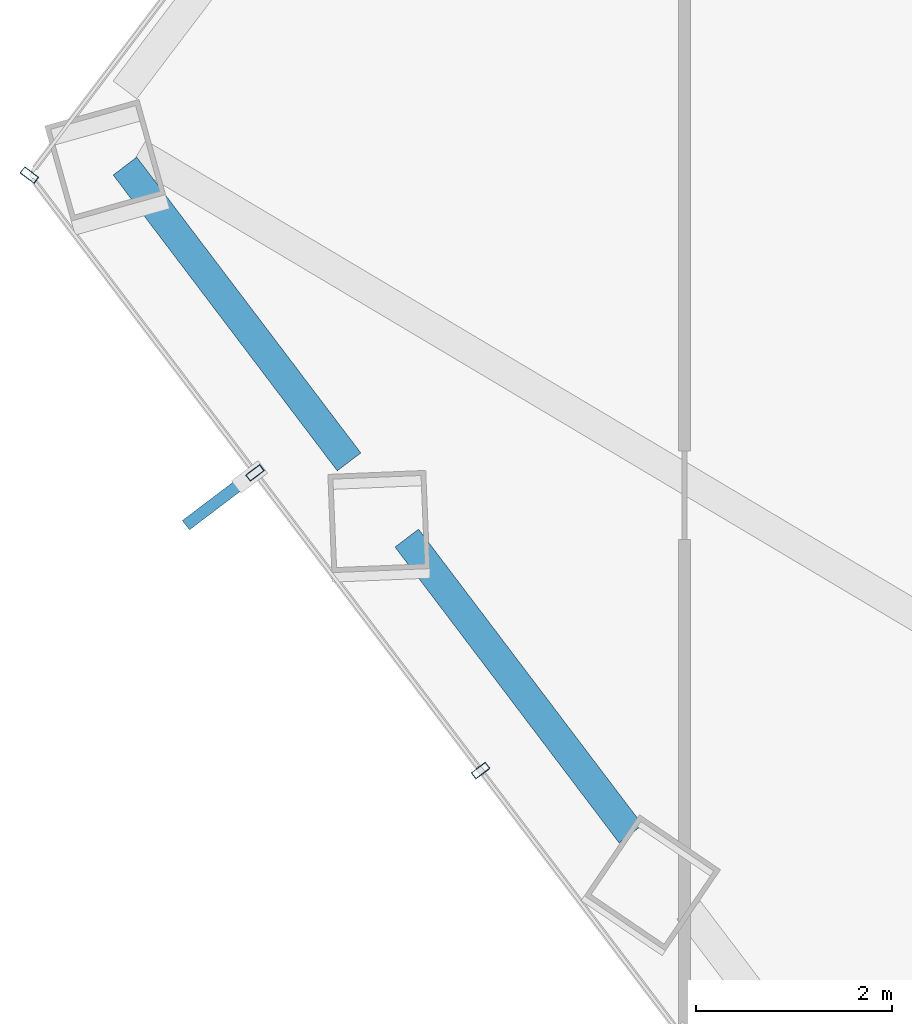
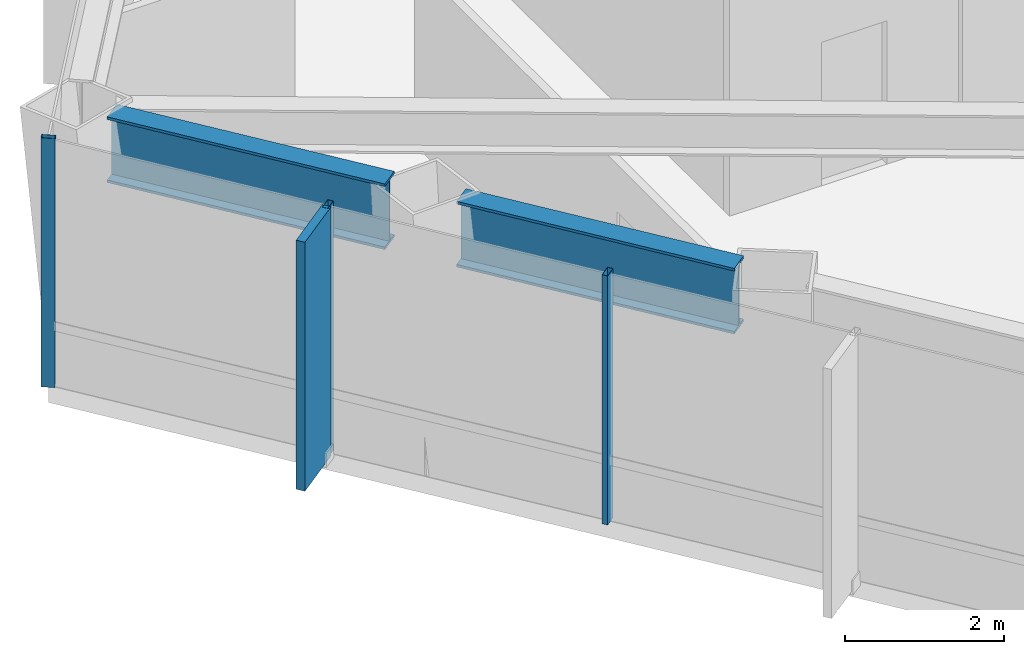
# One storey, part 4 of 27: 4 members, 2 beams, 2 elements without a shape of their own.
"""IFC4 building model written with IfcOpenShell, lengths in metres."""

from ifc_helpers import new_model, si_unit, direction, frame, origin, origin_2d, place, context, subcontext, project, spatial, rectangle, hollow_rectangle, i_section, extrude, material, layer, layer_set, material_profile, profile_set, type_object, element, aggregate, save


model = new_model("IFC4")

# Units and contexts
model_context = context("Model", 3, precision=1e-05, world=origin(), true_north=direction((0.0, 1.0)))
body_context = subcontext(model_context, "Body", "Model", "MODEL_VIEW")
ifc_project = project(units=[si_unit("LENGTHUNIT", "METRE"), si_unit("AREAUNIT", "SQUARE_METRE"), si_unit("VOLUMEUNIT", "CUBIC_METRE"), si_unit("PLANEANGLEUNIT", "RADIAN"), si_unit("MASSUNIT", "GRAM", prefix="KILO")], contexts=[model_context])

# Site, building, storey
site_placement = place(None, origin())
site = spatial("IfcSite", under=ifc_project, at=site_placement, CompositionType="ELEMENT")
building_placement = place(site_placement, origin())
building = spatial("IfcBuilding", under=site, at=building_placement, Name="Zarrinselat Tower", CompositionType="ELEMENT")
storey_placement = place(building_placement, frame((0.0, 0.0, 47.93994140625)))
storey = spatial("IfcBuildingStorey", under=building, at=storey_placement, Name="L11", CompositionType="ELEMENT", Elevation=47.93994140625)

# Beams
ifc_material_1 = material(Name="Steel S460M", Category="steel")
ifc_material_profile_1 = material_profile(ifc_material_1, i_section(OverallWidth=0.302001953125, OverallDepth=1.008056640625, WebThickness=0.02099609375, FlangeThickness=0.0400390625, at=origin_2d()), Name="HEM 1000")
ifc_profile_set_1 = profile_set([ifc_material_profile_1], Name="Steel S460M")
beam_type = type_object("IfcBeamType", Name="BM-HEM1000", PredefinedType="BEAM", material=ifc_profile_set_1)
for number, where, z_axis, x_axis, name in (
    (1, (16.787109375, 34.313232421875, 3.316162109375), (0.603870096073, -0.797082747943, 0.0), (0.797082747943, 0.603870096073, 0.0), "L11 Perimeter Spandrel Girder SP06"),
    (2, (19.6640625, 30.515625, 3.316162109375), (0.603839076561, -0.797106247384, 0.0), (0.797106247384, 0.603839076561, 0.0), "L11 Perimeter Spandrel Girder SP07"),
):
    element("IfcBeam", number, at=place(storey_placement, frame(where, z_axis=z_axis, x_axis=x_axis)), inside=storey, type_object=beam_type, Name=name, PredefinedType="BEAM", context=body_context, shape_type="SweptSolid", body=[
        extrude(i_section(OverallWidth=0.302001953125, OverallDepth=1.008056640625, WebThickness=0.02099609375, FlangeThickness=0.0400390625, at=origin_2d()), origin(), (0.0, 0.0, 1.0), 3.788330078125),
    ])

# Curtain wall, member
ifc_material_2 = material(Name="Extruded Aluminium Alloy EN AW-6063 T6", Category="aluminium")
ifc_layer = layer(ifc_material_2, 0.18505859375)
ifc_layer_set = layer_set([ifc_layer], Name="Extruded Aluminium Alloy EN AW-6063 T6")
curtain_wall_type = type_object("IfcCurtainWallType", Name="CWS-OFF", PredefinedType="NOTDEFINED", material=ifc_layer_set)
curtain_wall_1_placement = place(storey_placement, origin())
curtain_wall_1 = element("IfcCurtainWall", 3, at=curtain_wall_1_placement, inside=storey, type_object=curtain_wall_type, Name="L11 Unitised Curtain Wall CW-L11-E02", PredefinedType="NOTDEFINED")
ifc_material_3 = material(Name="Extruded Aluminium Alloy EN AW-6063 T6", Category="aluminium")
ifc_material_profile_2 = material_profile(ifc_material_3, hollow_rectangle(XDim=0.080078125, YDim=0.179931640625, WallThickness=0.0048828125, at=origin_2d()), Name="RHS 180x80x5")
ifc_profile_set_2 = profile_set([ifc_material_profile_2], Name="Extruded Aluminium Alloy EN AW-6063 T6")
member_type_1 = type_object("IfcMemberType", Name="MEM-CW-MUL", PredefinedType="MULLION", material=ifc_profile_set_2)
member_1_placement = place(storey_placement, frame((15.811767578125, 34.220947265625, 0.0), z_axis=(0.0, 0.0, 1.0), x_axis=(-0.603856912101, -0.797092735952, 0.0)))
member_1 = element("IfcMember", 4, at=member_1_placement, type_object=member_type_1, Name="CW-L11-E02 Mullion 7", PredefinedType="MULLION", context=body_context, shape_type="SweptSolid", body=[
    extrude(hollow_rectangle(XDim=0.080078125, YDim=0.179931640625, WallThickness=0.0048828125, at=origin_2d()), origin(), (0.0, 0.0, 1.0), 3.820068359375),
])
aggregate(curtain_wall_1, [member_1])

# Curtain wall, members
curtain_wall_2_placement = place(storey_placement, origin())
curtain_wall_2 = element("IfcCurtainWall", 5, at=curtain_wall_2_placement, inside=storey, type_object=curtain_wall_type, Name="L11 Unitised Curtain Wall CW-L11-E03", PredefinedType="NOTDEFINED")
member_2_placement = place(storey_placement, frame((18.114501953125, 31.181396484375, 0.0), z_axis=(0.0, 0.0, 1.0), x_axis=(0.603857284091, -0.797092454142, 0.0)))
member_2 = element("IfcMember", 6, at=member_2_placement, type_object=member_type_1, Name="CW-L11-E03 Mullion 1", PredefinedType="MULLION", context=body_context, shape_type="SweptSolid", body=[
    extrude(hollow_rectangle(XDim=0.080078125, YDim=0.179931640625, WallThickness=0.0048828125, at=origin_2d()), origin(), (0.0, 0.0, 1.0), 3.820068359375),
])
member_3_placement = place(storey_placement, frame((20.417236328125, 28.141845703125, 0.0), z_axis=(0.0, 0.0, 1.0), x_axis=(0.603857284091, -0.797092454142, 0.0)))
member_3 = element("IfcMember", 7, at=member_3_placement, type_object=member_type_1, Name="CW-L11-E03 Mullion 2", PredefinedType="MULLION", context=body_context, shape_type="SweptSolid", body=[
    extrude(hollow_rectangle(XDim=0.080078125, YDim=0.179931640625, WallThickness=0.0048828125, at=origin_2d()), origin(), (0.0, 0.0, 1.0), 3.820068359375),
])
ifc_material_4 = material(Name="Honed Cream Travertine Stone", Category="masonry")
ifc_material_profile_3 = material_profile(ifc_material_4, rectangle(XDim=0.1201171875, YDim=0.85009765625, at=origin_2d()), Name="FIN 850x120")
ifc_profile_set_3 = profile_set([ifc_material_profile_3], Name="Honed Cream Travertine Stone")
member_type_2 = type_object("IfcMemberType", Name="MEM-STONE-FIN", PredefinedType="USERDEFINED", material=ifc_profile_set_3)
member_4_placement = place(storey_placement, frame((17.747802734375, 30.903564453125, 0.0), z_axis=(0.0, 0.0, 1.0), x_axis=(-0.603857284091, 0.797092454142, 0.0)))
member_4 = element("IfcMember", 8, at=member_4_placement, type_object=member_type_2, Name="L11 Stone Shading Fin CW-L11-E03-01", ObjectType="FIN", PredefinedType="USERDEFINED", context=body_context, shape_type="SweptSolid", body=[
    extrude(rectangle(XDim=0.1201171875, YDim=0.85009765625, at=origin_2d()), origin(), (0.0, 0.0, 1.0), 3.820068359375),
])
aggregate(curtain_wall_2, [member_2, member_4, member_3])

save(model, "model.ifc")
